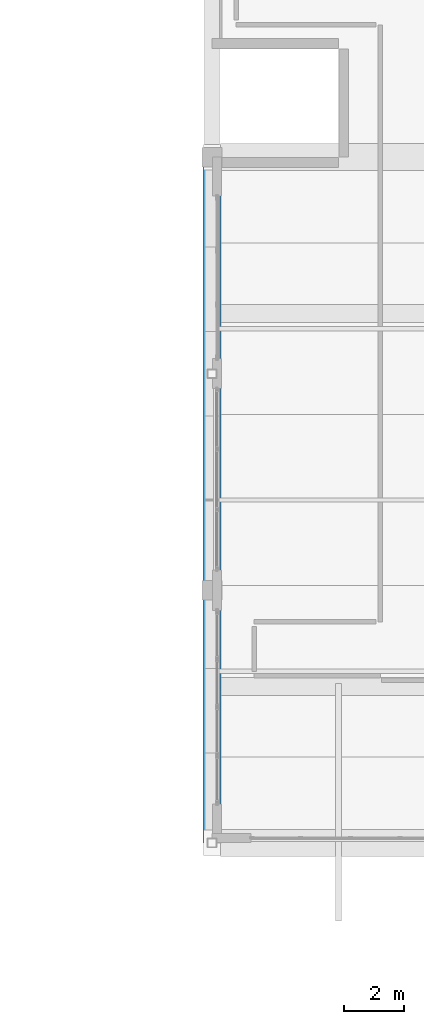
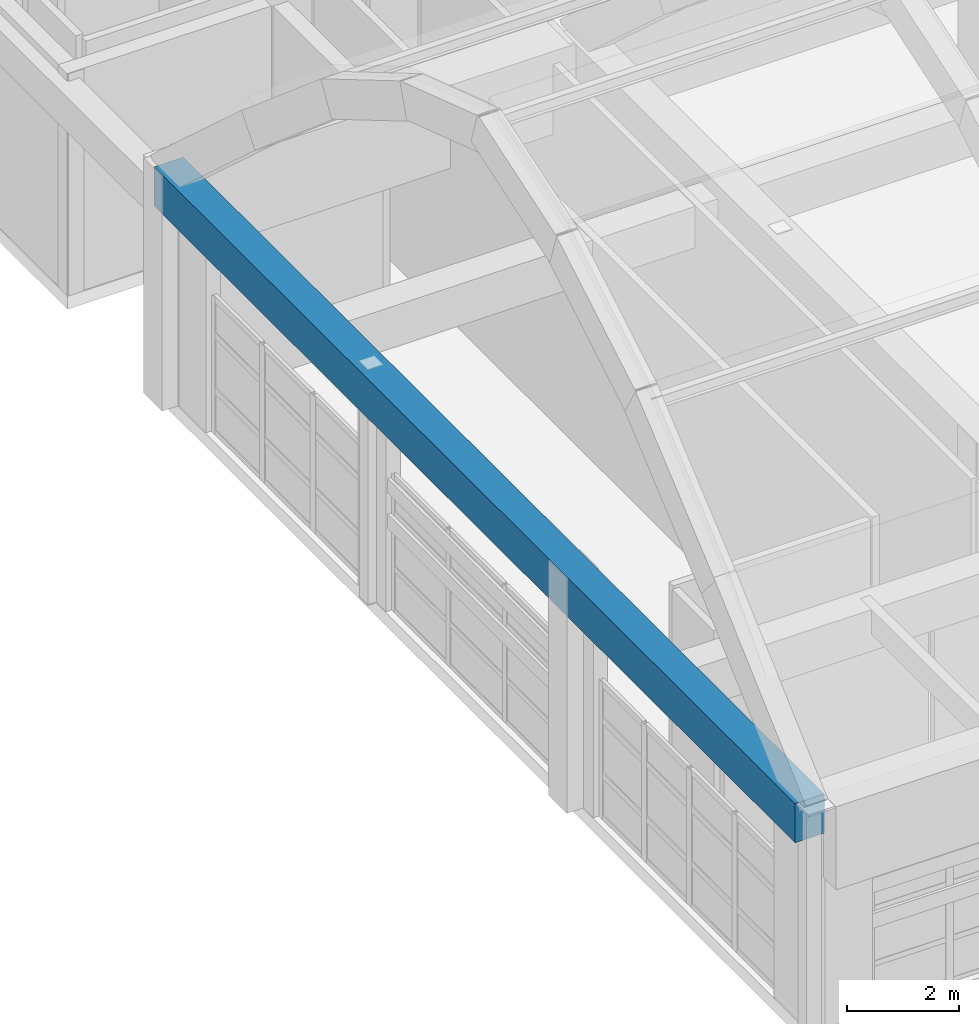
# One storey, part 32 of 103: 1 beam.
"""IFC4 building model written with IfcOpenShell, lengths in metres."""

from ifc_helpers import new_model, si_unit, direction, frame, origin, origin_2d, place, context, subcontext, project, spatial, rectangle, extrude, material, material_profile, profile_set, type_object, element, save


model = new_model("IFC4")

# Units and contexts
model_context = context("Model", 3, precision=1e-05, world=origin(), true_north=direction((0.0, 1.0)))
body_context = subcontext(model_context, "Body", "Model", "MODEL_VIEW")
ifc_project = project(units=[si_unit("LENGTHUNIT", "METRE"), si_unit("AREAUNIT", "SQUARE_METRE"), si_unit("VOLUMEUNIT", "CUBIC_METRE"), si_unit("PLANEANGLEUNIT", "RADIAN"), si_unit("MASSUNIT", "GRAM", prefix="KILO")], contexts=[model_context])

# Site, building, storey
site_placement = place(None, origin())
site = spatial("IfcSite", under=ifc_project, at=site_placement, CompositionType="ELEMENT")
building_placement = place(site_placement, origin())
building = spatial("IfcBuilding", under=site, at=building_placement, Name="Quendrovan Civic Courthouse", CompositionType="ELEMENT")
storey_placement = place(building_placement, frame((0.0, 0.0, 15.300048828125)))
storey = spatial("IfcBuildingStorey", under=building, at=storey_placement, Name="L04", CompositionType="ELEMENT", Elevation=15.300048828125)

# Beam
ifc_material = material(Name="Post-tensioned concrete C50/60", Category="concrete")
ifc_material_profile = material_profile(ifc_material, rectangle(XDim=0.60009765625, YDim=0.85009765625, at=origin_2d()), Name="PT-TIE-600x850")
ifc_profile_set = profile_set([ifc_material_profile], Name="Post-tensioned concrete C50/60")
beam_type = type_object("IfcBeamType", Name="BM-PTTIE850", PredefinedType="BEAM", material=ifc_profile_set)
beam_placement = place(storey_placement, frame((33.60009765625, 64.800048828125, 4.675048828125), z_axis=(0.0, 1.0, 0.0), x_axis=(-1.0, 0.0, 0.0)))
element("IfcBeam", 1, at=beam_placement, inside=storey, type_object=beam_type, Name="BV2 Vault Post-Tensioned Tie Beam A1", PredefinedType="BEAM", context=body_context, shape_type="SweptSolid", body=[
    extrude(rectangle(XDim=0.60009765625, YDim=0.85009765625, at=origin_2d()), origin(), (0.0, 0.0, 1.0), 22.800048828125),
])

save(model, "model.ifc")
